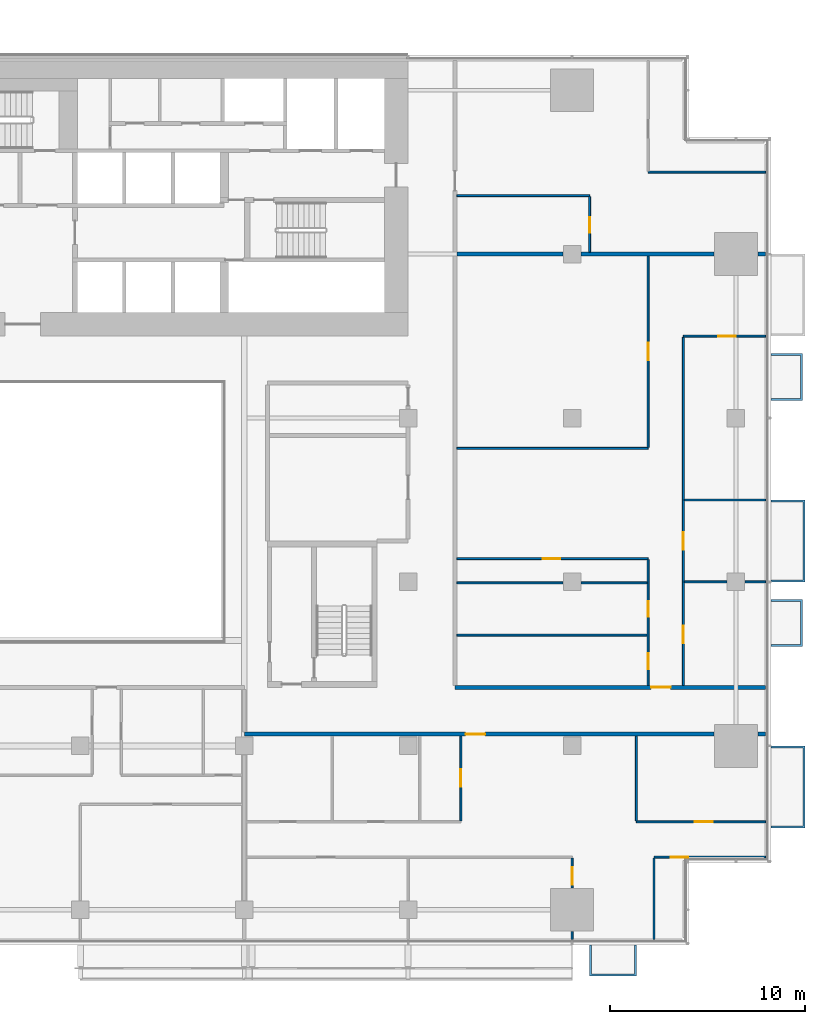
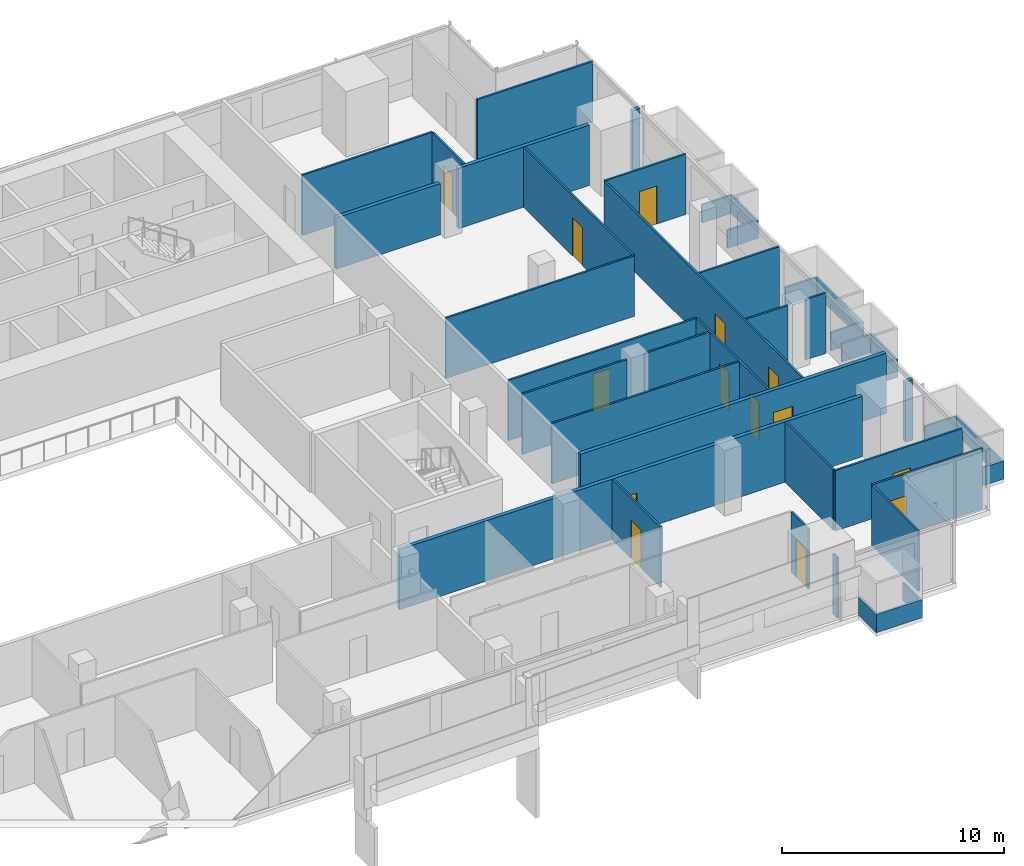
# One storey, part 23 of 27: 33 walls, 14 doors, 14 openings.
"""IFC4 building model written with IfcOpenShell, lengths in metres."""

from ifc_helpers import new_model, si_unit, direction, frame, frame_2d, origin, place, context, subcontext, project, spatial, polyline, rectangle, outline, extrude, material, layer, layer_set, type_object, element, fill, save


model = new_model("IFC4")

# Units and contexts
model_context = context("Model", 3, precision=1e-05, world=origin(), true_north=direction((0.0, 1.0)))
body_context = subcontext(model_context, "Body", "Model", "MODEL_VIEW")
ifc_project = project(units=[si_unit("LENGTHUNIT", "METRE"), si_unit("AREAUNIT", "SQUARE_METRE"), si_unit("VOLUMEUNIT", "CUBIC_METRE"), si_unit("PLANEANGLEUNIT", "RADIAN"), si_unit("MASSUNIT", "GRAM", prefix="KILO")], contexts=[model_context])

# Site, building, storey
site_placement = place(None, origin())
site = spatial("IfcSite", under=ifc_project, at=site_placement, CompositionType="ELEMENT")
building_placement = place(site_placement, origin())
building = spatial("IfcBuilding", under=site, at=building_placement, Name="Saffron Gate Tower", CompositionType="ELEMENT")
storey_placement = place(building_placement, frame((0.0, 0.0, 44.39990234375)))
storey = spatial("IfcBuildingStorey", under=building, at=storey_placement, Name="L09", CompositionType="ELEMENT", Elevation=44.39990234375)

# Wall, opening, door
ifc_material_1 = material(Name="Plasterboard on steel studs", Category="steel")
ifc_layer_1 = layer(ifc_material_1, 0.10009765625)
ifc_layer_set_1 = layer_set([ifc_layer_1], Name="PW1 Partition 100")
wall_type_1 = type_object("IfcWallType", Name="PW1 Partition 100", PredefinedType="PARTITIONING", material=ifc_layer_set_1)
wall_1_placement = place(storey_placement, frame((126.919921875, 34.5, 0.0), z_axis=(0.0, 0.0, 1.0), x_axis=(-1.0, 0.0, 0.0)))
wall_1 = element("IfcWall", 1, at=wall_1_placement, inside=storey, type_object=wall_type_1, Name="Partition A1-4", PredefinedType="PARTITIONING", context=body_context, shape_type="SweptSolid", body=[
    extrude(rectangle(XDim=5.719970703125, YDim=0.10009765625, at=frame_2d((2.85986328125, 0.0))), origin(), (0.0, 0.0, 1.0), 3.320068359375),
])
opening_1_placement = place(wall_1_placement, frame((3.96630859375, 0.0, 0.0)))
opening_1 = element("IfcOpeningElement", 2, at=opening_1_placement, cuts=wall_1, Name="Opening A1-20", PredefinedType="OPENING", context=body_context, shape_type="SweptSolid", body=[
    extrude(rectangle(XDim=0.89990234375, YDim=2.10009765625, at=frame_2d((0.449951171875, 1.050048828125))), frame((0.0, 0.06005859375, 0.0), z_axis=(0.0, -1.0, 0.0), x_axis=(1.0, 0.0, 0.0)), (0.0, 0.0, 1.0), 0.1201171875),
])
ifc_material_2 = material(Name="Timber door set", Category="wood")
door_type_1 = type_object("IfcDoorType", Name="RD1 Room door 900x2100", OperationType="NOTDEFINED", PredefinedType="DOOR", material=ifc_material_2)
door_1_placement = place(opening_1_placement, origin())
door_1 = element("IfcDoor", 3, at=door_1_placement, inside=storey, type_object=door_type_1, Name="Door A1-20", OperationType="SINGLE_SWING_RIGHT", OverallHeight=2.10009765625, OverallWidth=0.89990234375, PredefinedType="DOOR", context=body_context, shape_type="SweptSolid", body=[
    extrude(rectangle(XDim=0.89990234375, YDim=2.10009765625, at=frame_2d((0.449951171875, 1.050048828125))), frame((0.0, 0.02490234375, 0.0), z_axis=(0.0, -1.0, 0.0), x_axis=(1.0, 0.0, 0.0)), (0.0, 0.0, 1.0), 0.050048828125),
])
fill(opening_1, door_1)

wall_2_placement = place(storey_placement, frame((120.300048828125, 36.300048828125, 0.0), z_axis=(0.0, 0.0, 1.0), x_axis=(1.0, 0.0, 0.0)))
wall_2 = element("IfcWall", 4, at=wall_2_placement, inside=storey, type_object=wall_type_1, Name="Partition A1-8", PredefinedType="PARTITIONING", context=body_context, shape_type="SweptSolid", body=[
    extrude(rectangle(XDim=6.619873046875, YDim=0.10009765625, at=frame_2d((3.31005859375, 0.0))), origin(), (0.0, 0.0, 1.0), 3.320068359375),
])
opening_2_placement = place(wall_2_placement, frame((3.0, 0.0, 0.0)))
opening_2 = element("IfcOpeningElement", 5, at=opening_2_placement, cuts=wall_2, Name="Opening A1-21", PredefinedType="OPENING", context=body_context, shape_type="SweptSolid", body=[
    extrude(rectangle(XDim=0.89990234375, YDim=2.10009765625, at=frame_2d((0.449951171875, 1.050048828125))), frame((0.0, 0.06005859375, 0.0), z_axis=(0.0, -1.0, 0.0), x_axis=(1.0, 0.0, 0.0)), (0.0, 0.0, 1.0), 0.1201171875),
])
door_2_placement = place(opening_2_placement, origin())
door_2 = element("IfcDoor", 6, at=door_2_placement, inside=storey, type_object=door_type_1, Name="Door A1-21", OperationType="SINGLE_SWING_RIGHT", OverallHeight=2.10009765625, OverallWidth=0.89990234375, PredefinedType="DOOR", context=body_context, shape_type="SweptSolid", body=[
    extrude(rectangle(XDim=0.89990234375, YDim=2.10009765625, at=frame_2d((0.449951171875, 1.050048828125))), frame((0.0, 0.02490234375, 0.0), z_axis=(0.0, -1.0, 0.0), x_axis=(1.0, 0.0, 0.0)), (0.0, 0.0, 1.0), 0.050048828125),
])
fill(opening_2, door_2)

# Walls
wall_3_placement = place(storey_placement, frame((111.10009765625, 45.876708984375, 0.0), z_axis=(0.0, 0.0, 1.0), x_axis=(1.0, 0.0, 0.0)))
element("IfcWall", 7, at=wall_3_placement, inside=storey, type_object=wall_type_1, Name="Partition A1-20", PredefinedType="PARTITIONING", context=body_context, shape_type="SweptSolid", body=[
    extrude(rectangle(XDim=9.75, YDim=0.10009765625, at=frame_2d((4.875, 0.0))), origin(), (0.0, 0.0, 1.0), 3.320068359375),
])
wall_4_placement = place(storey_placement, frame((111.10009765625, 48.553466796875, 0.0), z_axis=(0.0, 0.0, 1.0), x_axis=(1.0, 0.0, 0.0)))
element("IfcWall", 8, at=wall_4_placement, inside=storey, type_object=wall_type_1, Name="Partition A1-22", PredefinedType="PARTITIONING", context=body_context, shape_type="SweptSolid", body=[
    extrude(rectangle(XDim=5.429931640625, YDim=0.10009765625, at=frame_2d((2.71484375, 0.0))), origin(), (0.0, 0.0, 1.0), 3.320068359375),
])
wall_5_placement = place(storey_placement, frame((117.469970703125, 48.553466796875, 0.0), z_axis=(0.0, 0.0, 1.0), x_axis=(1.0, 0.0, 0.0)))
element("IfcWall", 9, at=wall_5_placement, inside=storey, type_object=wall_type_1, Name="Partition A1-23", PredefinedType="PARTITIONING", context=body_context, shape_type="SweptSolid", body=[
    extrude(rectangle(XDim=3.380126953125, YDim=0.10009765625, at=frame_2d((1.68994140625, 0.0))), origin(), (0.0, 0.0, 1.0), 3.320068359375),
])
wall_6_placement = place(storey_placement, frame((122.75, 48.60009765625, 0.0), z_axis=(0.0, 0.0, 1.0), x_axis=(1.0, 0.0, 0.0)))
element("IfcWall", 10, at=wall_6_placement, inside=storey, type_object=wall_type_1, Name="Partition A1-26", PredefinedType="PARTITIONING", context=body_context, shape_type="SweptSolid", body=[
    extrude(rectangle(XDim=2.179931640625, YDim=0.10009765625, at=frame_2d((1.08984375, 0.0))), origin(), (0.0, 0.0, 1.0), 3.320068359375),
])
wall_7_placement = place(storey_placement, frame((125.8701171875, 48.60009765625, 0.0), z_axis=(0.0, 0.0, 1.0), x_axis=(1.0, 0.0, 0.0)))
element("IfcWall", 11, at=wall_7_placement, inside=storey, type_object=wall_type_1, Name="Partition A1-27", PredefinedType="PARTITIONING", context=body_context, shape_type="SweptSolid", body=[
    extrude(rectangle(XDim=1.0498046875, YDim=0.10009765625, at=frame_2d((0.52490234375, 0.0))), origin(), (0.0, 0.0, 1.0), 3.320068359375),
])

# Wall, opening, door
wall_8_placement = place(storey_placement, frame((120.89990234375, 49.800048828125, 0.0), z_axis=(0.0, 0.0, 1.0), x_axis=(-1.0, 0.0, 0.0)))
wall_8 = element("IfcWall", 12, at=wall_8_placement, inside=storey, type_object=wall_type_1, Name="Partition A1-29", PredefinedType="PARTITIONING", context=body_context, shape_type="SweptSolid", body=[
    extrude(rectangle(XDim=9.7998046875, YDim=0.10009765625, at=frame_2d((4.89990234375, 0.0))), origin(), (0.0, 0.0, 1.0), 3.320068359375),
])
opening_3_placement = place(wall_8_placement, frame((4.5, 0.0, 0.0)))
opening_3 = element("IfcOpeningElement", 13, at=opening_3_placement, cuts=wall_8, Name="Opening A1-33", PredefinedType="OPENING", context=body_context, shape_type="SweptSolid", body=[
    extrude(rectangle(XDim=0.89990234375, YDim=2.10009765625, at=frame_2d((0.449951171875, 1.050048828125))), frame((0.0, 0.06005859375, 0.0), z_axis=(0.0, -1.0, 0.0), x_axis=(1.0, 0.0, 0.0)), (0.0, 0.0, 1.0), 0.1201171875),
])
door_3_placement = place(opening_3_placement, origin())
door_3 = element("IfcDoor", 14, at=door_3_placement, inside=storey, type_object=door_type_1, Name="Door A1-33", OperationType="SINGLE_SWING_RIGHT", OverallHeight=2.10009765625, OverallWidth=0.89990234375, PredefinedType="DOOR", context=body_context, shape_type="SweptSolid", body=[
    extrude(rectangle(XDim=0.89990234375, YDim=2.10009765625, at=frame_2d((0.449951171875, 1.050048828125))), frame((0.0, 0.02490234375, 0.0), z_axis=(0.0, -1.0, 0.0), x_axis=(1.0, 0.0, 0.0)), (0.0, 0.0, 1.0), 0.050048828125),
])
fill(opening_3, door_3)

# Walls
wall_9_placement = place(storey_placement, frame((122.75, 52.800048828125, 0.0), z_axis=(0.0, 0.0, 1.0), x_axis=(1.0, 0.0, 0.0)))
element("IfcWall", 15, at=wall_9_placement, inside=storey, type_object=wall_type_1, Name="Partition A1-34", PredefinedType="PARTITIONING", context=body_context, shape_type="SweptSolid", body=[
    extrude(rectangle(XDim=4.169921875, YDim=0.10009765625, at=frame_2d((2.0849609375, 0.0))), origin(), (0.0, 0.0, 1.0), 3.320068359375),
])
wall_10_placement = place(storey_placement, frame((111.10009765625, 55.44140625, 0.0), z_axis=(0.0, 0.0, 1.0), x_axis=(1.0, 0.0, 0.0)))
element("IfcWall", 16, at=wall_10_placement, inside=storey, type_object=wall_type_1, Name="Partition A1-35", PredefinedType="PARTITIONING", context=body_context, shape_type="SweptSolid", body=[
    extrude(rectangle(XDim=9.7998046875, YDim=0.10009765625, at=frame_2d((4.89990234375, 0.0))), origin(), (0.0, 0.0, 1.0), 3.320068359375),
])

# Wall, opening, door
wall_11_placement = place(storey_placement, frame((126.919921875, 61.199951171875, 0.0), z_axis=(0.0, 0.0, 1.0), x_axis=(-1.0, 0.0, 0.0)))
wall_11 = element("IfcWall", 17, at=wall_11_placement, inside=storey, type_object=wall_type_1, Name="Partition A1-41", PredefinedType="PARTITIONING", context=body_context, shape_type="SweptSolid", body=[
    extrude(rectangle(XDim=4.219970703125, YDim=0.10009765625, at=frame_2d((2.10986328125, 0.0))), origin(), (0.0, 0.0, 1.0), 3.320068359375),
])
opening_4_placement = place(wall_11_placement, frame((1.52001953125, 0.0, 0.0)))
opening_4 = element("IfcOpeningElement", 18, at=opening_4_placement, cuts=wall_11, Name="Opening A1-31", PredefinedType="OPENING", context=body_context, shape_type="SweptSolid", body=[
    extrude(rectangle(XDim=0.89990234375, YDim=2.10009765625, at=frame_2d((0.449951171875, 1.050048828125))), frame((0.0, 0.06005859375, 0.0), z_axis=(0.0, -1.0, 0.0), x_axis=(1.0, 0.0, 0.0)), (0.0, 0.0, 1.0), 0.1201171875),
])
door_4_placement = place(opening_4_placement, origin())
door_4 = element("IfcDoor", 19, at=door_4_placement, inside=storey, type_object=door_type_1, Name="Door A1-31", OperationType="SINGLE_SWING_LEFT", OverallHeight=2.10009765625, OverallWidth=0.89990234375, PredefinedType="DOOR", context=body_context, shape_type="SweptSolid", body=[
    extrude(rectangle(XDim=0.89990234375, YDim=2.10009765625, at=frame_2d((0.449951171875, 1.050048828125))), frame((0.0, 0.02490234375, 0.0), z_axis=(0.0, -1.0, 0.0), x_axis=(1.0, 0.0, 0.0)), (0.0, 0.0, 1.0), 0.050048828125),
])
fill(opening_4, door_4)

# Walls
wall_12_placement = place(storey_placement, frame((111.10009765625, 68.39990234375, 0.0), z_axis=(0.0, 0.0, 1.0), x_axis=(1.0, 0.0, 0.0)))
element("IfcWall", 20, at=wall_12_placement, inside=storey, type_object=wall_type_1, Name="Partition A1-48", PredefinedType="PARTITIONING", context=body_context, shape_type="SweptSolid", body=[
    extrude(rectangle(XDim=6.7998046875, YDim=0.10009765625, at=frame_2d((3.39990234375, 0.0))), origin(), (0.0, 0.0, 1.0), 3.320068359375),
])
wall_13_placement = place(storey_placement, frame((120.89990234375, 69.60009765625, 0.0), z_axis=(0.0, 0.0, 1.0), x_axis=(1.0, 0.0, 0.0)))
element("IfcWall", 21, at=wall_13_placement, inside=storey, type_object=wall_type_1, Name="Partition A1-51", PredefinedType="PARTITIONING", context=body_context, shape_type="SweptSolid", body=[
    extrude(rectangle(XDim=6.02001953125, YDim=0.10009765625, at=frame_2d((3.010009765625, 0.0))), origin(), (0.0, 0.0, 1.0), 3.320068359375),
])

# Wall, opening, door
wall_14_placement = place(storey_placement, frame((111.300048828125, 36.35009765625, 0.0), z_axis=(0.0, 0.0, 1.0), x_axis=(0.0, 1.0, 0.0)))
wall_14 = element("IfcWall", 22, at=wall_14_placement, inside=storey, type_object=wall_type_1, Name="Partition A1-96", PredefinedType="PARTITIONING", context=body_context, shape_type="SweptSolid", body=[
    extrude(rectangle(XDim=4.349853515625, YDim=0.10009765625, at=frame_2d((2.1748046875, 0.0))), origin(), (0.0, 0.0, 1.0), 3.320068359375),
])
opening_5_placement = place(wall_14_placement, frame((1.75, 0.0, 0.0)))
opening_5 = element("IfcOpeningElement", 23, at=opening_5_placement, cuts=wall_14, Name="Opening A1-22", PredefinedType="OPENING", context=body_context, shape_type="SweptSolid", body=[
    extrude(rectangle(XDim=0.89990234375, YDim=2.10009765625, at=frame_2d((0.449951171875, 1.050048828125))), frame((0.0, 0.06005859375, 0.0), z_axis=(0.0, -1.0, 0.0), x_axis=(1.0, 0.0, 0.0)), (0.0, 0.0, 1.0), 0.1201171875),
])
door_5_placement = place(opening_5_placement, origin())
door_5 = element("IfcDoor", 24, at=door_5_placement, inside=storey, type_object=door_type_1, Name="Door A1-22", OperationType="SINGLE_SWING_RIGHT", OverallHeight=2.10009765625, OverallWidth=0.89990234375, PredefinedType="DOOR", context=body_context, shape_type="SweptSolid", body=[
    extrude(rectangle(XDim=0.89990234375, YDim=2.10009765625, at=frame_2d((0.449951171875, 1.050048828125))), frame((0.0, 0.02490234375, 0.0), z_axis=(0.0, -1.0, 0.0), x_axis=(1.0, 0.0, 0.0)), (0.0, 0.0, 1.0), 0.050048828125),
])
fill(opening_5, door_5)

# Wall
wall_15_placement = place(storey_placement, frame((117.0, 30.679931640625, 0.0), z_axis=(0.0, 0.0, 1.0), x_axis=(0.0, -1.0, 0.0)))
element("IfcWall", 25, at=wall_15_placement, inside=storey, type_object=wall_type_1, Name="Partition A1-97", PredefinedType="PARTITIONING", context=body_context, shape_type="SweptSolid", body=[
    extrude(rectangle(XDim=0.39990234375, YDim=0.10009765625, at=frame_2d((0.199951171875, 0.0))), origin(), (0.0, 0.0, 1.0), 3.320068359375),
])

# Wall, opening, door
wall_16_placement = place(storey_placement, frame((117.0, 32.919921875, 0.0), z_axis=(0.0, 0.0, 1.0), x_axis=(0.0, 1.0, 0.0)))
wall_16 = element("IfcWall", 26, at=wall_16_placement, inside=storey, type_object=wall_type_1, Name="Partition A1-98", PredefinedType="PARTITIONING", context=body_context, shape_type="SweptSolid", body=[
    extrude(rectangle(XDim=1.530029296875, YDim=0.10009765625, at=frame_2d((0.76513671875, 0.0))), origin(), (0.0, 0.0, 1.0), 3.320068359375),
])
opening_6_placement = place(wall_16_placement, frame((0.14990234375, 0.0, 0.0)))
opening_6 = element("IfcOpeningElement", 27, at=opening_6_placement, cuts=wall_16, Name="Opening A1-19", PredefinedType="OPENING", context=body_context, shape_type="SweptSolid", body=[
    extrude(rectangle(XDim=0.89990234375, YDim=2.10009765625, at=frame_2d((0.449951171875, 1.050048828125))), frame((0.0, 0.06005859375, 0.0), z_axis=(0.0, -1.0, 0.0), x_axis=(1.0, 0.0, 0.0)), (0.0, 0.0, 1.0), 0.1201171875),
])
door_6_placement = place(opening_6_placement, origin())
door_6 = element("IfcDoor", 28, at=door_6_placement, inside=storey, type_object=door_type_1, Name="Door A1-19", OperationType="SINGLE_SWING_LEFT", OverallHeight=2.10009765625, OverallWidth=0.89990234375, PredefinedType="DOOR", context=body_context, shape_type="SweptSolid", body=[
    extrude(rectangle(XDim=0.89990234375, YDim=2.10009765625, at=frame_2d((0.449951171875, 1.050048828125))), frame((0.0, 0.02490234375, 0.0), z_axis=(0.0, -1.0, 0.0), x_axis=(1.0, 0.0, 0.0)), (0.0, 0.0, 1.0), 0.050048828125),
])
fill(opening_6, door_6)

wall_17_placement = place(storey_placement, frame((117.89990234375, 65.5, 0.0), z_axis=(0.0, 0.0, 1.0), x_axis=(0.0, 1.0, 0.0)))
wall_17 = element("IfcWall", 29, at=wall_17_placement, inside=storey, type_object=wall_type_1, Name="Partition A1-99", PredefinedType="PARTITIONING", context=body_context, shape_type="SweptSolid", body=[
    extrude(rectangle(XDim=2.85009765625, YDim=0.10009765625, at=frame_2d((1.425048828125, 0.0))), origin(), (0.0, 0.0, 1.0), 3.320068359375),
])
opening_7_placement = place(wall_17_placement, frame((1.0, 0.0, 0.0)))
opening_7 = element("IfcOpeningElement", 30, at=opening_7_placement, cuts=wall_17, Name="Opening A1-47", PredefinedType="OPENING", context=body_context, shape_type="SweptSolid", body=[
    extrude(rectangle(XDim=0.800048828125, YDim=2.10009765625, at=frame_2d((0.39990234375, 1.050048828125))), frame((0.0, 0.06005859375, 0.0), z_axis=(0.0, -1.0, 0.0), x_axis=(1.0, 0.0, 0.0)), (0.0, 0.0, 1.0), 0.1201171875),
])
door_type_2 = type_object("IfcDoorType", Name="RD2 Bathroom door 800x2100", OperationType="NOTDEFINED", PredefinedType="DOOR", material=ifc_material_2)
door_7_placement = place(opening_7_placement, origin())
door_7 = element("IfcDoor", 31, at=door_7_placement, inside=storey, type_object=door_type_2, Name="Door A1-47", OperationType="SINGLE_SWING_LEFT", OverallHeight=2.10009765625, OverallWidth=0.800048828125, PredefinedType="DOOR", context=body_context, shape_type="SweptSolid", body=[
    extrude(rectangle(XDim=0.800048828125, YDim=2.10009765625, at=frame_2d((0.39990234375, 1.050048828125))), frame((0.0, 0.02490234375, 0.0), z_axis=(0.0, -1.0, 0.0), x_axis=(1.0, 0.0, 0.0)), (0.0, 0.0, 1.0), 0.050048828125),
])
fill(opening_7, door_7)

# Wall
wall_18_placement = place(storey_placement, frame((120.300048828125, 40.699951171875, 0.0), z_axis=(0.0, 0.0, 1.0), x_axis=(0.0, -1.0, 0.0)))
element("IfcWall", 32, at=wall_18_placement, inside=storey, type_object=wall_type_1, Name="Partition A1-100", PredefinedType="PARTITIONING", context=body_context, shape_type="SweptSolid", body=[
    extrude(rectangle(XDim=4.349853515625, YDim=0.10009765625, at=frame_2d((2.1748046875, 0.0))), origin(), (0.0, 0.0, 1.0), 3.320068359375),
])

# Wall, openings, doors
wall_19_placement = place(storey_placement, frame((120.89990234375, 43.300048828125, 0.0), z_axis=(0.0, 0.0, 1.0), x_axis=(0.0, 1.0, 0.0)))
wall_19 = element("IfcWall", 33, at=wall_19_placement, inside=storey, type_object=wall_type_1, Name="Partition A1-101", PredefinedType="PARTITIONING", context=body_context, shape_type="SweptSolid", body=[
    extrude(rectangle(XDim=6.449951171875, YDim=0.10009765625, at=frame_2d((3.22509765625, 0.0))), origin(), (0.0, 0.0, 1.0), 3.320068359375),
])
opening_8_placement = place(wall_19_placement, frame((0.83837890625, 0.0, 0.0)))
opening_8 = element("IfcOpeningElement", 34, at=opening_8_placement, cuts=wall_19, Name="Opening A1-45", PredefinedType="OPENING", context=body_context, shape_type="SweptSolid", body=[
    extrude(rectangle(XDim=0.800048828125, YDim=2.10009765625, at=frame_2d((0.39990234375, 1.050048828125))), frame((0.0, 0.06005859375, 0.0), z_axis=(0.0, -1.0, 0.0), x_axis=(1.0, 0.0, 0.0)), (0.0, 0.0, 1.0), 0.1201171875),
])
opening_9_placement = place(wall_19_placement, frame((3.51513671875, 0.0, 0.0)))
opening_9 = element("IfcOpeningElement", 35, at=opening_9_placement, cuts=wall_19, Name="Opening A1-46", PredefinedType="OPENING", context=body_context, shape_type="SweptSolid", body=[
    extrude(rectangle(XDim=0.800048828125, YDim=2.10009765625, at=frame_2d((0.39990234375, 1.050048828125))), frame((0.0, 0.06005859375, 0.0), z_axis=(0.0, -1.0, 0.0), x_axis=(1.0, 0.0, 0.0)), (0.0, 0.0, 1.0), 0.1201171875),
])
door_8_placement = place(opening_8_placement, origin())
door_8 = element("IfcDoor", 36, at=door_8_placement, inside=storey, type_object=door_type_2, Name="Door A1-45", OperationType="SINGLE_SWING_LEFT", OverallHeight=2.10009765625, OverallWidth=0.800048828125, PredefinedType="DOOR", context=body_context, shape_type="SweptSolid", body=[
    extrude(rectangle(XDim=0.800048828125, YDim=2.10009765625, at=frame_2d((0.39990234375, 1.050048828125))), frame((0.0, 0.02490234375, 0.0), z_axis=(0.0, -1.0, 0.0), x_axis=(1.0, 0.0, 0.0)), (0.0, 0.0, 1.0), 0.050048828125),
])
fill(opening_8, door_8)
door_9_placement = place(opening_9_placement, origin())
door_9 = element("IfcDoor", 37, at=door_9_placement, inside=storey, type_object=door_type_2, Name="Door A1-46", OperationType="SINGLE_SWING_RIGHT", OverallHeight=2.10009765625, OverallWidth=0.800048828125, PredefinedType="DOOR", context=body_context, shape_type="SweptSolid", body=[
    extrude(rectangle(XDim=0.800048828125, YDim=2.10009765625, at=frame_2d((0.39990234375, 1.050048828125))), frame((0.0, 0.02490234375, 0.0), z_axis=(0.0, -1.0, 0.0), x_axis=(1.0, 0.0, 0.0)), (0.0, 0.0, 1.0), 0.050048828125),
])
fill(opening_9, door_9)

# Wall, opening, door
wall_20_placement = place(storey_placement, frame((120.89990234375, 55.491455078125, 0.0), z_axis=(0.0, 0.0, 1.0), x_axis=(0.0, 1.0, 0.0)))
wall_20 = element("IfcWall", 38, at=wall_20_placement, inside=storey, type_object=wall_type_1, Name="Partition A1-102", PredefinedType="PARTITIONING", context=body_context, shape_type="SweptSolid", body=[
    extrude(rectangle(XDim=9.80859375, YDim=0.10009765625, at=frame_2d((4.904296875, 0.0))), origin(), (0.0, 0.0, 1.0), 3.320068359375),
])
opening_10_placement = place(wall_20_placement, frame((4.479248046875, 0.0, 0.0)))
opening_10 = element("IfcOpeningElement", 39, at=opening_10_placement, cuts=wall_20, Name="Opening A1-32", PredefinedType="OPENING", context=body_context, shape_type="SweptSolid", body=[
    extrude(rectangle(XDim=0.89990234375, YDim=2.10009765625, at=frame_2d((0.449951171875, 1.050048828125))), frame((0.0, 0.06005859375, 0.0), z_axis=(0.0, -1.0, 0.0), x_axis=(1.0, 0.0, 0.0)), (0.0, 0.0, 1.0), 0.1201171875),
])
door_10_placement = place(opening_10_placement, origin())
door_10 = element("IfcDoor", 40, at=door_10_placement, inside=storey, type_object=door_type_1, Name="Door A1-32", OperationType="SINGLE_SWING_RIGHT", OverallHeight=2.10009765625, OverallWidth=0.89990234375, PredefinedType="DOOR", context=body_context, shape_type="SweptSolid", body=[
    extrude(rectangle(XDim=0.89990234375, YDim=2.10009765625, at=frame_2d((0.449951171875, 1.050048828125))), frame((0.0, 0.02490234375, 0.0), z_axis=(0.0, -1.0, 0.0), x_axis=(1.0, 0.0, 0.0)), (0.0, 0.0, 1.0), 0.050048828125),
])
fill(opening_10, door_10)

# Wall
wall_21_placement = place(storey_placement, frame((121.199951171875, 34.449951171875, 0.0), z_axis=(0.0, 0.0, 1.0), x_axis=(0.0, -1.0, 0.0)))
element("IfcWall", 41, at=wall_21_placement, inside=storey, type_object=wall_type_1, Name="Partition A1-104", PredefinedType="PARTITIONING", context=body_context, shape_type="SweptSolid", body=[
    extrude(rectangle(XDim=4.169921875, YDim=0.10009765625, at=frame_2d((2.0849609375, 0.0))), origin(), (0.0, 0.0, 1.0), 3.320068359375),
])

# Wall, openings, doors
wall_22_placement = place(storey_placement, frame((122.699951171875, 61.14990234375, 0.0), z_axis=(0.0, 0.0, 1.0), x_axis=(0.0, -1.0, 0.0)))
wall_22 = element("IfcWall", 42, at=wall_22_placement, inside=storey, type_object=wall_type_1, Name="Partition A1-105", PredefinedType="PARTITIONING", context=body_context, shape_type="SweptSolid", body=[
    extrude(rectangle(XDim=17.849853515625, YDim=0.10009765625, at=frame_2d((8.9248046875, 0.0))), origin(), (0.0, 0.0, 1.0), 3.320068359375),
])
opening_11_placement = place(wall_22_placement, frame((10.0, 0.0, 0.0)))
opening_11 = element("IfcOpeningElement", 43, at=opening_11_placement, cuts=wall_22, Name="Opening A1-30", PredefinedType="OPENING", context=body_context, shape_type="SweptSolid", body=[
    extrude(rectangle(XDim=0.89990234375, YDim=2.10009765625, at=frame_2d((0.449951171875, 1.050048828125))), frame((0.0, 0.06005859375, 0.0), z_axis=(0.0, -1.0, 0.0), x_axis=(1.0, 0.0, 0.0)), (0.0, 0.0, 1.0), 0.1201171875),
])
opening_12_placement = place(wall_22_placement, frame((14.800048828125, 0.0, 0.0)))
opening_12 = element("IfcOpeningElement", 44, at=opening_12_placement, cuts=wall_22, Name="Opening A1-29", PredefinedType="OPENING", context=body_context, shape_type="SweptSolid", body=[
    extrude(rectangle(XDim=0.89990234375, YDim=2.10009765625, at=frame_2d((0.449951171875, 1.050048828125))), frame((0.0, 0.06005859375, 0.0), z_axis=(0.0, -1.0, 0.0), x_axis=(1.0, 0.0, 0.0)), (0.0, 0.0, 1.0), 0.1201171875),
])
door_11_placement = place(opening_11_placement, origin())
door_11 = element("IfcDoor", 45, at=door_11_placement, inside=storey, type_object=door_type_1, Name="Door A1-30", OperationType="SINGLE_SWING_LEFT", OverallHeight=2.10009765625, OverallWidth=0.89990234375, PredefinedType="DOOR", context=body_context, shape_type="SweptSolid", body=[
    extrude(rectangle(XDim=0.89990234375, YDim=2.10009765625, at=frame_2d((0.449951171875, 1.050048828125))), frame((0.0, 0.02490234375, 0.0), z_axis=(0.0, -1.0, 0.0), x_axis=(1.0, 0.0, 0.0)), (0.0, 0.0, 1.0), 0.050048828125),
])
fill(opening_11, door_11)
door_12_placement = place(opening_12_placement, origin())
door_12 = element("IfcDoor", 46, at=door_12_placement, inside=storey, type_object=door_type_1, Name="Door A1-29", OperationType="SINGLE_SWING_RIGHT", OverallHeight=2.10009765625, OverallWidth=0.89990234375, PredefinedType="DOOR", context=body_context, shape_type="SweptSolid", body=[
    extrude(rectangle(XDim=0.89990234375, YDim=2.10009765625, at=frame_2d((0.449951171875, 1.050048828125))), frame((0.0, 0.02490234375, 0.0), z_axis=(0.0, -1.0, 0.0), x_axis=(1.0, 0.0, 0.0)), (0.0, 0.0, 1.0), 0.050048828125),
])
fill(opening_12, door_12)

# Walls
ifc_material_3 = material(Name="Clay brick masonry, rendered", Category="masonry")
ifc_layer_2 = layer(ifc_material_3, 0.199951171875)
ifc_layer_set_2 = layer_set([ifc_layer_2], Name="PW2 Demising wall 200")
wall_type_2 = type_object("IfcWallType", Name="PW2 Demising wall 200", PredefinedType="PARTITIONING", material=ifc_layer_set_2)
wall_23_placement = place(storey_placement, frame((111.10009765625, 65.39990234375, 0.0), z_axis=(0.0, 0.0, 1.0), x_axis=(1.0, 0.0, 0.0)))
element("IfcWall", 47, at=wall_23_placement, inside=storey, type_object=wall_type_2, Name="Wall A1-45", PredefinedType="PARTITIONING", context=body_context, shape_type="SweptSolid", body=[
    extrude(rectangle(XDim=5.429931640625, YDim=0.199951171875, at=frame_2d((2.71484375, 0.0))), origin(), (0.0, 0.0, 1.0), 2.820068359375),
])
wall_24_placement = place(storey_placement, frame((117.469970703125, 65.39990234375, 0.0), z_axis=(0.0, 0.0, 1.0), x_axis=(1.0, 0.0, 0.0)))
element("IfcWall", 48, at=wall_24_placement, inside=storey, type_object=wall_type_2, Name="Wall A1-46", PredefinedType="PARTITIONING", context=body_context, shape_type="SweptSolid", body=[
    extrude(rectangle(XDim=6.81005859375, YDim=0.199951171875, at=frame_2d((3.405029296875, 0.0))), origin(), (0.0, 0.0, 1.0), 3.320068359375),
])
wall_25_placement = place(storey_placement, frame((126.52001953125, 65.39990234375, 0.0), z_axis=(0.0, 0.0, 1.0), x_axis=(1.0, 0.0, 0.0)))
element("IfcWall", 49, at=wall_25_placement, inside=storey, type_object=wall_type_2, Name="Wall A1-47", PredefinedType="PARTITIONING", context=body_context, shape_type="SweptSolid", body=[
    extrude(rectangle(XDim=0.39990234375, YDim=0.199951171875, at=frame_2d((0.199951171875, 0.0))), origin(), (0.0, 0.0, 1.0), 3.320068359375),
])

# Wall, opening, door
ifc_layer_3 = layer(ifc_material_3, 0.199951171875)
ifc_layer_set_3 = layer_set([ifc_layer_3], Name="PW3 Corridor wall 200")
wall_type_3 = type_object("IfcWallType", Name="PW3 Corridor wall 200", PredefinedType="PARTITIONING", material=ifc_layer_set_3)
wall_26_placement = place(storey_placement, frame((124.280029296875, 40.800048828125, 0.0), z_axis=(0.0, 0.0, 1.0), x_axis=(-1.0, 0.0, 0.0)))
wall_26 = element("IfcWall", 50, at=wall_26_placement, inside=storey, type_object=wall_type_3, Name="Wall A1-15", PredefinedType="PARTITIONING", context=body_context, shape_type="SweptSolid", body=[
    extrude(rectangle(XDim=24.080078125, YDim=0.199951171875, at=frame_2d((12.0400390625, 0.0))), origin(), (0.0, 0.0, 1.0), 3.320068359375),
])
opening_13_placement = place(wall_26_placement, frame((11.72998046875, 0.0, 0.0)))
opening_13 = element("IfcOpeningElement", 51, at=opening_13_placement, cuts=wall_26, Name="Opening A1-3", PredefinedType="OPENING", context=body_context, shape_type="SweptSolid", body=[
    extrude(rectangle(XDim=1.0, YDim=2.10009765625, at=frame_2d((0.5, 1.050048828125))), frame((0.0, 0.10986328125, 0.0), z_axis=(0.0, -1.0, 0.0), x_axis=(1.0, 0.0, 0.0)), (0.0, 0.0, 1.0), 0.219970703125),
])
ifc_material_4 = material(Name="Timber fire door set", Category="wood")
door_type_3 = type_object("IfcDoorType", Name="FD1 Flat entry door 1000x2100", OperationType="NOTDEFINED", PredefinedType="DOOR", material=ifc_material_4)
door_13_placement = place(opening_13_placement, origin())
door_13 = element("IfcDoor", 52, at=door_13_placement, inside=storey, type_object=door_type_3, Name="Door A1-3", OperationType="SINGLE_SWING_RIGHT", OverallHeight=2.10009765625, OverallWidth=1.0, PredefinedType="DOOR", context=body_context, shape_type="SweptSolid", body=[
    extrude(rectangle(XDim=1.0, YDim=2.10009765625, at=frame_2d((0.5, 1.050048828125))), frame((0.0, 0.02490234375, 0.0), z_axis=(0.0, -1.0, 0.0), x_axis=(1.0, 0.0, 0.0)), (0.0, 0.0, 1.0), 0.050048828125),
])
fill(opening_13, door_13)

# Wall
wall_27_placement = place(storey_placement, frame((126.52001953125, 40.800048828125, 0.0), z_axis=(0.0, 0.0, 1.0), x_axis=(1.0, 0.0, 0.0)))
element("IfcWall", 53, at=wall_27_placement, inside=storey, type_object=wall_type_3, Name="Wall A1-16", PredefinedType="PARTITIONING", context=body_context, shape_type="SweptSolid", body=[
    extrude(rectangle(XDim=0.39990234375, YDim=0.199951171875, at=frame_2d((0.199951171875, 0.0))), origin(), (0.0, 0.0, 1.0), 3.320068359375),
])

# Wall, opening, door
wall_28_placement = place(storey_placement, frame((111.0, 43.199951171875, 0.0), z_axis=(0.0, 0.0, 1.0), x_axis=(1.0, 0.0, 0.0)))
wall_28 = element("IfcWall", 54, at=wall_28_placement, inside=storey, type_object=wall_type_3, Name="Wall A1-19", PredefinedType="PARTITIONING", context=body_context, shape_type="SweptSolid", body=[
    extrude(rectangle(XDim=15.919921875, YDim=0.199951171875, at=frame_2d((7.9599609375, 0.0))), origin(), (0.0, 0.0, 1.0), 3.320068359375),
])
opening_14_placement = place(wall_28_placement, frame((10.050048828125, 0.0, 0.0)))
opening_14 = element("IfcOpeningElement", 55, at=opening_14_placement, cuts=wall_28, Name="Opening A1-6", PredefinedType="OPENING", context=body_context, shape_type="SweptSolid", body=[
    extrude(rectangle(XDim=1.0, YDim=2.10009765625, at=frame_2d((0.5, 1.050048828125))), frame((0.0, 0.10986328125, 0.0), z_axis=(0.0, -1.0, 0.0), x_axis=(1.0, 0.0, 0.0)), (0.0, 0.0, 1.0), 0.219970703125),
])
door_14_placement = place(opening_14_placement, origin())
door_14 = element("IfcDoor", 56, at=door_14_placement, inside=storey, type_object=door_type_3, Name="Door A1-6", OperationType="SINGLE_SWING_LEFT", OverallHeight=2.10009765625, OverallWidth=1.0, PredefinedType="DOOR", context=body_context, shape_type="SweptSolid", body=[
    extrude(rectangle(XDim=1.0, YDim=2.10009765625, at=frame_2d((0.5, 1.050048828125))), frame((0.0, 0.02490234375, 0.0), z_axis=(0.0, -1.0, 0.0), x_axis=(1.0, 0.0, 0.0)), (0.0, 0.0, 1.0), 0.050048828125),
])
fill(opening_14, door_14)

# Walls
ifc_material_5 = material(Name="Rendered insulated panel, white")
ifc_layer_4 = layer(ifc_material_5, 0.10009765625)
ifc_layer_set_4 = layer_set([ifc_layer_4], Name="WB3 box parapet white")
wall_type_4 = type_object("IfcWallType", Name="WB3 box parapet white", PredefinedType="SOLIDWALL", material=ifc_layer_set_4)
wall_29_placement = place(storey_placement, origin())
element("IfcWall", 57, at=wall_29_placement, inside=storey, type_object=wall_type_4, Name="WINDOW BOX parapet", PredefinedType="SOLIDWALL", context=body_context, shape_type="SweptSolid", body=[
    extrude(outline(polyline([(117.89990234375, 30.0), (118.0, 30.0), (118.0, 28.5), (120.199951171875, 28.5), (120.199951171875, 30.0), (120.300048828125, 30.0), (120.300048828125, 28.39990234375), (117.89990234375, 28.39990234375), (117.89990234375, 30.0)])), origin(), (0.0, 0.0, 1.0), 1.0),
])
wall_30_placement = place(storey_placement, origin())
element("IfcWall", 58, at=wall_30_placement, inside=storey, type_object=wall_type_4, Name="WINDOW BOX parapet", PredefinedType="SOLIDWALL", context=body_context, shape_type="SweptSolid", body=[
    extrude(outline(polyline([(127.199951171875, 36.0), (127.199951171875, 36.10009765625), (128.8330078125, 36.10009765625), (128.8330078125, 40.10009765625), (127.199951171875, 40.10009765625), (127.199951171875, 40.199951171875), (128.93310546875, 40.199951171875), (128.93310546875, 36.0), (127.199951171875, 36.0)])), origin(), (0.0, 0.0, 1.0), 1.0),
])
wall_31_placement = place(storey_placement, origin())
element("IfcWall", 59, at=wall_31_placement, inside=storey, type_object=wall_type_4, Name="WINDOW BOX parapet", PredefinedType="SOLIDWALL", context=body_context, shape_type="SweptSolid", body=[
    extrude(outline(polyline([(127.199951171875, 45.300048828125), (127.199951171875, 45.39990234375), (128.699951171875, 45.39990234375), (128.699951171875, 47.60009765625), (127.199951171875, 47.60009765625), (127.199951171875, 47.699951171875), (128.800048828125, 47.699951171875), (128.800048828125, 45.300048828125), (127.199951171875, 45.300048828125)])), origin(), (0.0, 0.0, 1.0), 1.0),
])
wall_32_placement = place(storey_placement, origin())
element("IfcWall", 60, at=wall_32_placement, inside=storey, type_object=wall_type_4, Name="WINDOW BOX parapet", PredefinedType="SOLIDWALL", context=body_context, shape_type="SweptSolid", body=[
    extrude(outline(polyline([(127.199951171875, 48.60009765625), (127.199951171875, 48.699951171875), (128.8330078125, 48.699951171875), (128.8330078125, 52.699951171875), (127.199951171875, 52.699951171875), (127.199951171875, 52.800048828125), (128.93310546875, 52.800048828125), (128.93310546875, 48.60009765625), (127.199951171875, 48.60009765625)])), origin(), (0.0, 0.0, 1.0), 1.0),
])
wall_33_placement = place(storey_placement, origin())
element("IfcWall", 61, at=wall_33_placement, inside=storey, type_object=wall_type_4, Name="WINDOW BOX parapet", PredefinedType="SOLIDWALL", context=body_context, shape_type="SweptSolid", body=[
    extrude(outline(polyline([(127.199951171875, 57.89990234375), (127.199951171875, 58.0), (128.699951171875, 58.0), (128.699951171875, 60.199951171875), (127.199951171875, 60.199951171875), (127.199951171875, 60.300048828125), (128.800048828125, 60.300048828125), (128.800048828125, 57.89990234375), (127.199951171875, 57.89990234375)])), origin(), (0.0, 0.0, 1.0), 1.0),
])

save(model, "model.ifc")
